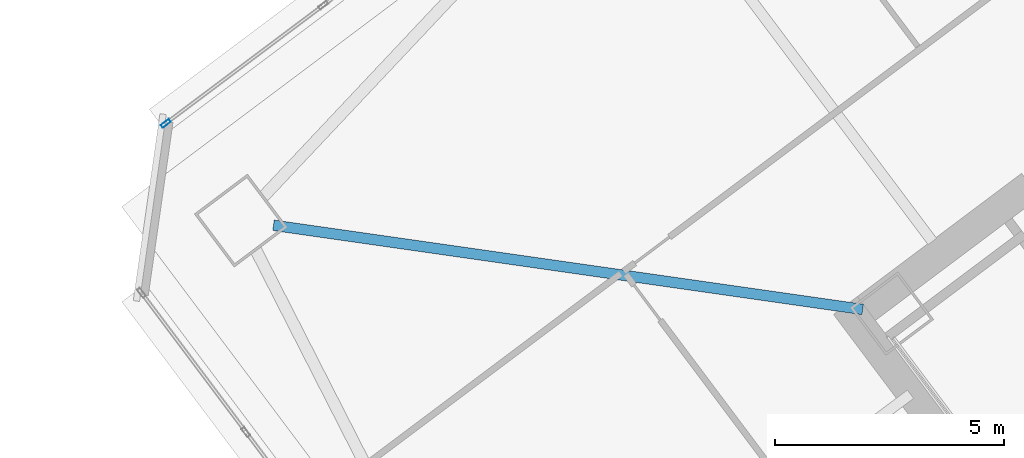
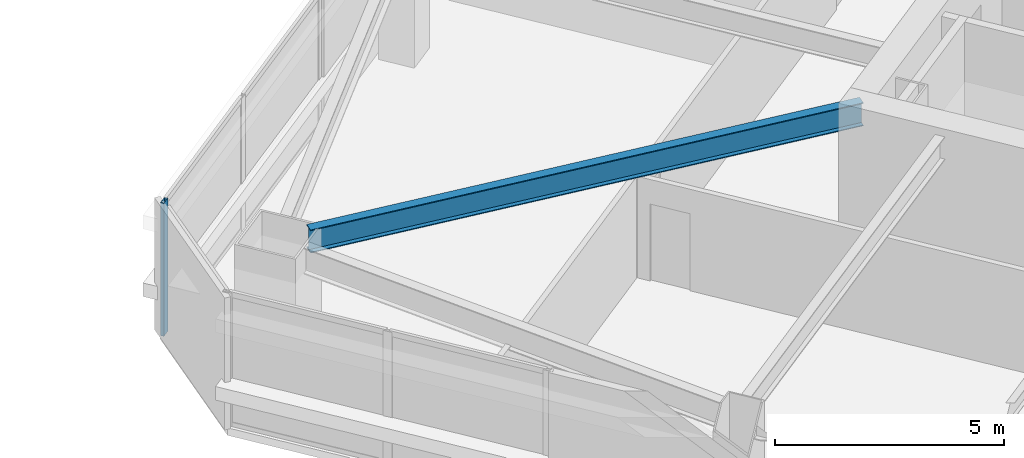
# One storey, part 20 of 44: 1 beam, 1 member, 1 element without a shape of its own.
"""IFC4 building model written with IfcOpenShell, lengths in metres."""

from ifc_helpers import new_model, si_unit, direction, frame, origin, origin_2d, place, context, subcontext, project, spatial, hollow_rectangle, i_section, extrude, material, material_profile, profile_set, type_object, element, aggregate, save


model = new_model("IFC4")

# Units and contexts
model_context = context("Model", 3, precision=1e-05, world=origin(), true_north=direction((0.0, 1.0)))
body_context = subcontext(model_context, "Body", "Model", "MODEL_VIEW")
ifc_project = project(units=[si_unit("LENGTHUNIT", "METRE"), si_unit("AREAUNIT", "SQUARE_METRE"), si_unit("VOLUMEUNIT", "CUBIC_METRE"), si_unit("PLANEANGLEUNIT", "RADIAN"), si_unit("MASSUNIT", "GRAM", prefix="KILO")], contexts=[model_context])

# Site, building, storey
site_placement = place(None, origin())
site = spatial("IfcSite", under=ifc_project, at=site_placement, CompositionType="ELEMENT")
building_placement = place(site_placement, origin())
building = spatial("IfcBuilding", under=site, at=building_placement, Name="Tashvorn Skyway Center", CompositionType="ELEMENT")
storey_placement = place(building_placement, frame((0.0, 0.0, 95.60009765625)))
storey = spatial("IfcBuildingStorey", under=building, at=storey_placement, Name="L25", CompositionType="ELEMENT", Elevation=95.60009765625)

# Beam
ifc_material_1 = material(Name="Steel ASTM A992 Grade 50", Category="steel")
ifc_material_profile_1 = material_profile(ifc_material_1, i_section(OverallWidth=0.22998046875, OverallDepth=0.616943359375, WebThickness=0.01318359375, FlangeThickness=0.022216796875, at=origin_2d()), Name="W24X94")
ifc_profile_set_1 = profile_set([ifc_material_profile_1], Name="Steel ASTM A992 Grade 50")
beam_type = type_object("IfcBeamType", Name="BM-BEAM-W24X94", PredefinedType="BEAM", material=ifc_profile_set_1)
beam_placement = place(storey_placement, frame((90.6328125, 35.338134765625, 3.04150390625), z_axis=(0.989949869571, -0.141418724841, 0.0), x_axis=(0.141418724841, 0.989949869571, 0.0)))
element("IfcBeam", 1, at=beam_placement, inside=storey, type_object=beam_type, Name="Tower 2 L25 Primary Floor Girder MC-NW", PredefinedType="BEAM", context=body_context, shape_type="SweptSolid", body=[
    extrude(i_section(OverallWidth=0.22998046875, OverallDepth=0.616943359375, WebThickness=0.01318359375, FlangeThickness=0.022216796875, at=origin_2d()), origin(), (0.0, 0.0, 1.0), 12.9892578125),
])

# Curtain wall, member
ifc_material_2 = material(Name="Thermally broken bronze-anodized aluminium 6063-T6", Category="aluminium")
curtain_wall_type = type_object("IfcCurtainWallType", Name="CW-CW-Z2", PredefinedType="NOTDEFINED", material=ifc_material_2)
curtain_wall_placement = place(storey_placement, origin())
curtain_wall = element("IfcCurtainWall", 2, at=curtain_wall_placement, inside=storey, type_object=curtain_wall_type, Name="Tower 2 L25 North Curtain Wall L Glazing Group 1", PredefinedType="NOTDEFINED")
ifc_material_profile_2 = material_profile(ifc_material_2, hollow_rectangle(XDim=0.080078125, YDim=0.219970703125, WallThickness=0.0048828125, at=origin_2d()), Name="ALU-MULL-80x220")
ifc_profile_set_2 = profile_set([ifc_material_profile_2], Name="Thermally broken bronze-anodized aluminium 6063-T6")
member_type = type_object("IfcMemberType", Name="CWM-CW-Z2", PredefinedType="MULLION", material=ifc_profile_set_2)
member_placement = place(storey_placement, frame((88.280029296875, 37.56005859375, 0.0), z_axis=(0.0, 0.0, 1.0), x_axis=(-0.600001841909, 0.799998618565, 0.0)))
member = element("IfcMember", 3, at=member_placement, type_object=member_type, Name="CW-Z2 mullion 1", PredefinedType="MULLION", context=body_context, shape_type="SweptSolid", body=[
    extrude(hollow_rectangle(XDim=0.080078125, YDim=0.219970703125, WallThickness=0.0048828125, at=origin_2d()), origin(), (0.0, 0.0, 1.0), 3.5498046875),
])
aggregate(curtain_wall, [member])

save(model, "model.ifc")
